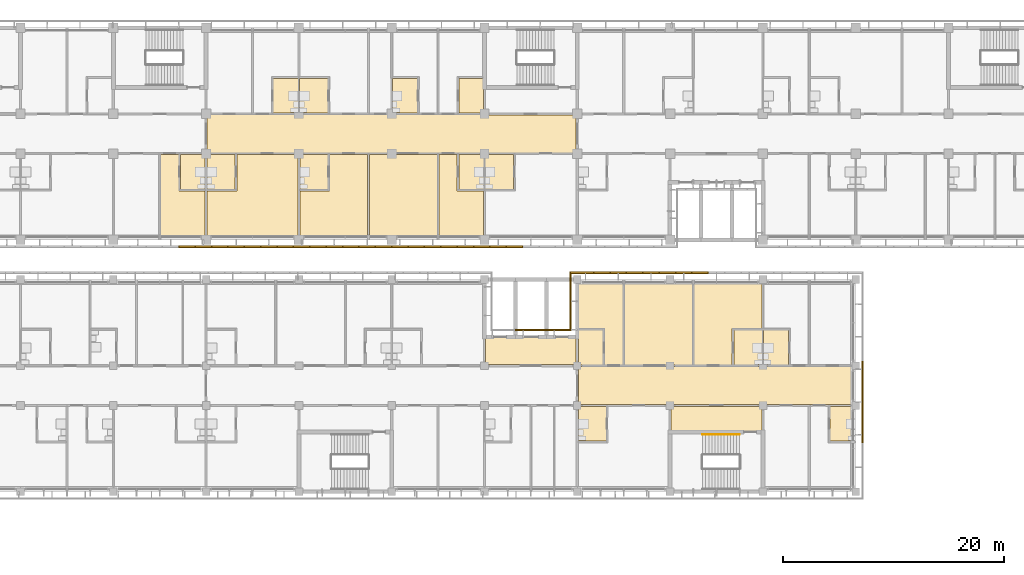
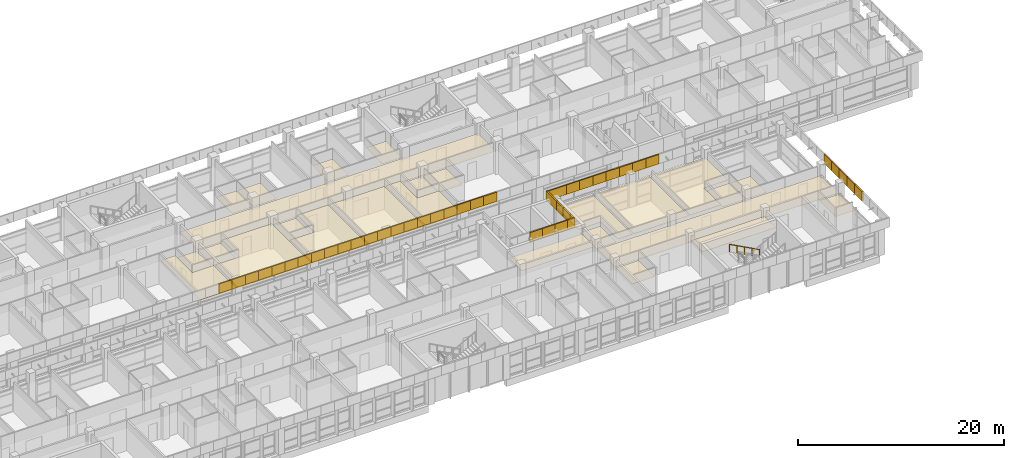
# One storey, part 68 of 74: 68 coverings, 1 railing.
"""IFC4 building model written with IfcOpenShell, lengths in metres."""

from ifc_helpers import new_model, si_unit, direction, frame, origin, origin_2d, place, context, subcontext, project, spatial, polyline, circle, outline, extrude, material, layer, layer_set, type_object, element, save


model = new_model("IFC4")

# Units and contexts
model_context = context("Model", 3, precision=1e-05, world=origin(), true_north=direction((0.0, 1.0)))
body_context = subcontext(model_context, "Body", "Model", "MODEL_VIEW")
ifc_project = project(units=[si_unit("LENGTHUNIT", "METRE"), si_unit("AREAUNIT", "SQUARE_METRE"), si_unit("VOLUMEUNIT", "CUBIC_METRE"), si_unit("PLANEANGLEUNIT", "RADIAN"), si_unit("MASSUNIT", "GRAM", prefix="KILO")], contexts=[model_context])

# Site, building, storey
site_placement = place(None, origin())
site = spatial("IfcSite", under=ifc_project, at=site_placement, CompositionType="ELEMENT")
building_placement = place(site_placement, origin())
building = spatial("IfcBuilding", under=site, at=building_placement, Name="Bougainvillea Quay General Hospital", CompositionType="ELEMENT")
storey_placement = place(building_placement, frame((0.0, 0.0, 21.0)))
storey = spatial("IfcBuildingStorey", under=building, at=storey_placement, Name="L04", CompositionType="ELEMENT", Elevation=21.0)

# Coverings
ifc_material_1 = material(Name="Powder-coated aluminium fascia, white", Category="aluminium")
ifc_layer_1 = layer(ifc_material_1, 0.14990234375)
ifc_layer_set_1 = layer_set([ifc_layer_1], Name="Powder-coated aluminium fascia, white")
covering_type_1 = type_object("IfcCoveringType", Name="Aluminium fascia band white 150x1100", PredefinedType="CLADDING", material=ifc_layer_set_1)
covering_1_placement = place(storey_placement, frame((106.7294921875, 139.85009765625, 3.35009765625), z_axis=(0.0, 0.0, 1.0), x_axis=(1.0, 0.0, 0.0)))
element("IfcCovering", 1, at=covering_1_placement, inside=storey, type_object=covering_type_1, Name="Fascia band white e0 162", PredefinedType="CLADDING", context=body_context, shape_type="SweptSolid", body=[
    extrude(outline(polyline([(0.0, 0.0), (1.482177734375, 0.0), (1.482177734375, -0.150146484375), (0.0, -0.150146484375), (0.0, 0.0)])), origin(), (0.0, 0.0, 1.0), 1.10009765625),
])
for number, where, z_axis, x_axis, name in (
    (2, (108.211669921875, 139.85009765625, 3.35009765625), (0.0, 0.0, 1.0), (1.0, 0.0, 0.0), "Fascia band white e0 163"),
    (3, (109.694091796875, 139.85009765625, 3.35009765625), (0.0, 0.0, 1.0), (1.0, 0.0, 0.0), "Fascia band white e0 164"),
    (4, (111.176513671875, 139.85009765625, 3.35009765625), (0.0, 0.0, 1.0), (1.0, 0.0, 0.0), "Fascia band white e0 165"),
):
    element("IfcCovering", number, at=place(storey_placement, frame(where, z_axis=z_axis, x_axis=x_axis)), inside=storey, type_object=covering_type_1, Name=name, PredefinedType="CLADDING", context=body_context, shape_type="SweptSolid", body=[
        extrude(outline(polyline([(0.0, 0.0), (1.482421875, 0.0), (1.482421875, -0.150146484375), (0.0, -0.150146484375), (0.0, 0.0)])), origin(), (0.0, 0.0, 1.0), 1.10009765625),
    ])
covering_2_placement = place(storey_placement, frame((112.658935546875, 139.85009765625, 3.35009765625), z_axis=(0.0, 0.0, 1.0), x_axis=(1.0, 0.0, 0.0)))
element("IfcCovering", 5, at=covering_2_placement, inside=storey, type_object=covering_type_1, Name="Fascia band white e0 166", PredefinedType="CLADDING", context=body_context, shape_type="SweptSolid", body=[
    extrude(outline(polyline([(0.0, 0.0), (1.482177734375, 0.0), (1.482177734375, -0.150146484375), (0.0, -0.150146484375), (0.0, 0.0)])), origin(), (0.0, 0.0, 1.0), 1.10009765625),
])
for number, where, z_axis, x_axis, name in (
    (6, (114.14111328125, 139.85009765625, 3.35009765625), (0.0, 0.0, 1.0), (1.0, 0.0, 0.0), "Fascia band white e0 167"),
    (7, (115.62353515625, 139.85009765625, 3.35009765625), (0.0, 0.0, 1.0), (1.0, 0.0, 0.0), "Fascia band white e0 168"),
):
    element("IfcCovering", number, at=place(storey_placement, frame(where, z_axis=z_axis, x_axis=x_axis)), inside=storey, type_object=covering_type_1, Name=name, PredefinedType="CLADDING", context=body_context, shape_type="SweptSolid", body=[
        extrude(outline(polyline([(0.0, 0.0), (1.482421875, 0.0), (1.482421875, -0.150146484375), (0.0, -0.150146484375), (0.0, 0.0)])), origin(), (0.0, 0.0, 1.0), 1.10009765625),
    ])
covering_3_placement = place(storey_placement, frame((117.10595703125, 139.85009765625, 3.35009765625), z_axis=(0.0, 0.0, 1.0), x_axis=(1.0, 0.0, 0.0)))
element("IfcCovering", 8, at=covering_3_placement, inside=storey, type_object=covering_type_1, Name="Fascia band white e0 169", PredefinedType="CLADDING", context=body_context, shape_type="SweptSolid", body=[
    extrude(outline(polyline([(0.0, 0.0), (1.482177734375, 0.0), (1.482177734375, -0.150146484375), (0.0, -0.150146484375), (0.0, 0.0)])), origin(), (0.0, 0.0, 1.0), 1.10009765625),
])
for number, where, z_axis, x_axis, name in (
    (9, (118.588134765625, 139.85009765625, 3.35009765625), (0.0, 0.0, 1.0), (1.0, 0.0, 0.0), "Fascia band white e0 170"),
    (10, (120.070556640625, 139.85009765625, 3.35009765625), (0.0, 0.0, 1.0), (1.0, 0.0, 0.0), "Fascia band white e0 171"),
    (11, (121.552978515625, 139.85009765625, 3.35009765625), (0.0, 0.0, 1.0), (1.0, 0.0, 0.0), "Fascia band white e0 172"),
):
    element("IfcCovering", number, at=place(storey_placement, frame(where, z_axis=z_axis, x_axis=x_axis)), inside=storey, type_object=covering_type_1, Name=name, PredefinedType="CLADDING", context=body_context, shape_type="SweptSolid", body=[
        extrude(outline(polyline([(0.0, 0.0), (1.482421875, 0.0), (1.482421875, -0.150146484375), (0.0, -0.150146484375), (0.0, 0.0)])), origin(), (0.0, 0.0, 1.0), 1.10009765625),
    ])
covering_4_placement = place(storey_placement, frame((123.035400390625, 139.85009765625, 3.35009765625), z_axis=(0.0, 0.0, 1.0), x_axis=(1.0, 0.0, 0.0)))
element("IfcCovering", 12, at=covering_4_placement, inside=storey, type_object=covering_type_1, Name="Fascia band white e0 173", PredefinedType="CLADDING", context=body_context, shape_type="SweptSolid", body=[
    extrude(outline(polyline([(0.0, 0.0), (1.482177734375, 0.0), (1.482177734375, -0.150146484375), (0.0, -0.150146484375), (0.0, 0.0)])), origin(), (0.0, 0.0, 1.0), 1.10009765625),
])
for number, where, z_axis, x_axis, name in (
    (13, (124.517578125, 139.85009765625, 3.35009765625), (0.0, 0.0, 1.0), (1.0, 0.0, 0.0), "Fascia band white e0 174"),
    (14, (126.0, 139.85009765625, 3.35009765625), (0.0, 0.0, 1.0), (1.0, 0.0, 0.0), "Fascia band white e0 175"),
):
    element("IfcCovering", number, at=place(storey_placement, frame(where, z_axis=z_axis, x_axis=x_axis)), inside=storey, type_object=covering_type_1, Name=name, PredefinedType="CLADDING", context=body_context, shape_type="SweptSolid", body=[
        extrude(outline(polyline([(0.0, 0.0), (1.482421875, 0.0), (1.482421875, -0.150146484375), (0.0, -0.150146484375), (0.0, 0.0)])), origin(), (0.0, 0.0, 1.0), 1.10009765625),
    ])
covering_5_placement = place(storey_placement, frame((127.482421875, 139.85009765625, 3.35009765625), z_axis=(0.0, 0.0, 1.0), x_axis=(1.0, 0.0, 0.0)))
element("IfcCovering", 15, at=covering_5_placement, inside=storey, type_object=covering_type_1, Name="Fascia band white e0 176", PredefinedType="CLADDING", context=body_context, shape_type="SweptSolid", body=[
    extrude(outline(polyline([(0.0, 0.0), (1.482177734375, 0.0), (1.482177734375, -0.150146484375), (0.0, -0.150146484375), (0.0, 0.0)])), origin(), (0.0, 0.0, 1.0), 1.10009765625),
])
for number, where, z_axis, x_axis, name in (
    (16, (128.964599609375, 139.85009765625, 3.35009765625), (0.0, 0.0, 1.0), (1.0, 0.0, 0.0), "Fascia band white e0 177"),
    (17, (130.447021484375, 139.85009765625, 3.35009765625), (0.0, 0.0, 1.0), (1.0, 0.0, 0.0), "Fascia band white e0 178"),
    (18, (131.929443359375, 139.85009765625, 3.35009765625), (0.0, 0.0, 1.0), (1.0, 0.0, 0.0), "Fascia band white e0 179"),
):
    element("IfcCovering", number, at=place(storey_placement, frame(where, z_axis=z_axis, x_axis=x_axis)), inside=storey, type_object=covering_type_1, Name=name, PredefinedType="CLADDING", context=body_context, shape_type="SweptSolid", body=[
        extrude(outline(polyline([(0.0, 0.0), (1.482421875, 0.0), (1.482421875, -0.150146484375), (0.0, -0.150146484375), (0.0, 0.0)])), origin(), (0.0, 0.0, 1.0), 1.10009765625),
    ])
covering_6_placement = place(storey_placement, frame((133.411865234375, 139.85009765625, 3.35009765625), z_axis=(0.0, 0.0, 1.0), x_axis=(1.0, 0.0, 0.0)))
element("IfcCovering", 19, at=covering_6_placement, inside=storey, type_object=covering_type_1, Name="Fascia band white e0 180", PredefinedType="CLADDING", context=body_context, shape_type="SweptSolid", body=[
    extrude(outline(polyline([(0.0, 0.0), (1.482177734375, 0.0), (1.482177734375, -0.150146484375), (0.0, -0.150146484375), (0.0, 0.0)])), origin(), (0.0, 0.0, 1.0), 1.10009765625),
])
for number, where, z_axis, x_axis, name in (
    (20, (134.89404296875, 139.85009765625, 3.35009765625), (0.0, 0.0, 1.0), (1.0, 0.0, 0.0), "Fascia band white e0 181"),
    (21, (136.37646484375, 139.85009765625, 3.35009765625), (0.0, 0.0, 1.0), (1.0, 0.0, 0.0), "Fascia band white e0 182"),
):
    element("IfcCovering", number, at=place(storey_placement, frame(where, z_axis=z_axis, x_axis=x_axis)), inside=storey, type_object=covering_type_1, Name=name, PredefinedType="CLADDING", context=body_context, shape_type="SweptSolid", body=[
        extrude(outline(polyline([(0.0, 0.0), (1.482421875, 0.0), (1.482421875, -0.150146484375), (0.0, -0.150146484375), (0.0, 0.0)])), origin(), (0.0, 0.0, 1.0), 1.10009765625),
    ])
covering_7_placement = place(storey_placement, frame((168.550048828125, 122.03076171875, 3.35009765625), z_axis=(0.0, 0.0, 1.0), x_axis=(0.0, 1.0, 0.0)))
element("IfcCovering", 22, at=covering_7_placement, inside=storey, type_object=covering_type_1, Name="Fascia band white e0 101", PredefinedType="CLADDING", context=body_context, shape_type="SweptSolid", body=[
    extrude(outline(polyline([(0.0, 0.0), (1.47705078125, 0.0), (1.47705078125, -0.14990234375), (0.0, -0.14990234375), (0.0, 0.0)])), origin(), (0.0, 0.0, 1.0), 1.10009765625),
])
for number, where, z_axis, x_axis, name in (
    (23, (168.550048828125, 123.5078125, 3.35009765625), (0.0, 0.0, 1.0), (0.0, 1.0, 0.0), "Fascia band white e0 102"),
    (24, (168.550048828125, 124.984619140625, 3.35009765625), (0.0, 0.0, 1.0), (0.0, 1.0, 0.0), "Fascia band white e0 103"),
):
    element("IfcCovering", number, at=place(storey_placement, frame(where, z_axis=z_axis, x_axis=x_axis)), inside=storey, type_object=covering_type_1, Name=name, PredefinedType="CLADDING", context=body_context, shape_type="SweptSolid", body=[
        extrude(outline(polyline([(0.0, 0.0), (1.476806640625, 0.0), (1.476806640625, -0.14990234375), (0.0, -0.14990234375), (0.0, 0.0)])), origin(), (0.0, 0.0, 1.0), 1.10009765625),
    ])
covering_8_placement = place(storey_placement, frame((168.550048828125, 126.46142578125, 3.35009765625), z_axis=(0.0, 0.0, 1.0), x_axis=(0.0, 1.0, 0.0)))
element("IfcCovering", 25, at=covering_8_placement, inside=storey, type_object=covering_type_1, Name="Fascia band white e0 104", PredefinedType="CLADDING", context=body_context, shape_type="SweptSolid", body=[
    extrude(outline(polyline([(0.0, 0.0), (1.47705078125, 0.0), (1.47705078125, -0.14990234375), (0.0, -0.14990234375), (0.0, 0.0)])), origin(), (0.0, 0.0, 1.0), 1.10009765625),
])
covering_9_placement = place(storey_placement, frame((168.550048828125, 127.9384765625, 3.35009765625), z_axis=(0.0, 0.0, 1.0), x_axis=(0.0, 1.0, 0.0)))
element("IfcCovering", 26, at=covering_9_placement, inside=storey, type_object=covering_type_1, Name="Fascia band white e0 105", PredefinedType="CLADDING", context=body_context, shape_type="SweptSolid", body=[
    extrude(outline(polyline([(0.0, 0.0), (1.476806640625, 0.0), (1.476806640625, -0.14990234375), (0.0, -0.14990234375), (0.0, 0.0)])), origin(), (0.0, 0.0, 1.0), 1.10009765625),
])
for number, where, z_axis, x_axis, name in (
    (27, (154.658935546875, 137.35009765625, 3.35009765625), (0.0, 0.0, 1.0), (-1.0, 0.0, 0.0), "Fascia band white e0 120"),
    (28, (153.176513671875, 137.35009765625, 3.35009765625), (0.0, 0.0, 1.0), (-1.0, 0.0, 0.0), "Fascia band white e0 121"),
    (29, (151.694091796875, 137.35009765625, 3.35009765625), (0.0, 0.0, 1.0), (-1.0, 0.0, 0.0), "Fascia band white e0 122"),
):
    element("IfcCovering", number, at=place(storey_placement, frame(where, z_axis=z_axis, x_axis=x_axis)), inside=storey, type_object=covering_type_1, Name=name, PredefinedType="CLADDING", context=body_context, shape_type="SweptSolid", body=[
        extrude(outline(polyline([(0.0, 0.0), (1.482421875, 0.0), (1.482421875, -0.14990234375), (0.0, -0.14990234375), (0.0, 0.0)])), origin(), (0.0, 0.0, 1.0), 1.10009765625),
    ])
covering_10_placement = place(storey_placement, frame((150.211669921875, 137.35009765625, 3.35009765625), z_axis=(0.0, 0.0, 1.0), x_axis=(-1.0, 0.0, 0.0)))
element("IfcCovering", 30, at=covering_10_placement, inside=storey, type_object=covering_type_1, Name="Fascia band white e0 123", PredefinedType="CLADDING", context=body_context, shape_type="SweptSolid", body=[
    extrude(outline(polyline([(0.0, 0.0), (1.482177734375, 0.0), (1.482177734375, -0.14990234375), (0.0, -0.14990234375), (0.0, 0.0)])), origin(), (0.0, 0.0, 1.0), 1.10009765625),
])
for number, where, z_axis, x_axis, name in (
    (31, (148.7294921875, 137.35009765625, 3.35009765625), (0.0, 0.0, 1.0), (-1.0, 0.0, 0.0), "Fascia band white e0 124"),
    (32, (147.2470703125, 137.35009765625, 3.35009765625), (0.0, 0.0, 1.0), (-1.0, 0.0, 0.0), "Fascia band white e0 125"),
):
    element("IfcCovering", number, at=place(storey_placement, frame(where, z_axis=z_axis, x_axis=x_axis)), inside=storey, type_object=covering_type_1, Name=name, PredefinedType="CLADDING", context=body_context, shape_type="SweptSolid", body=[
        extrude(outline(polyline([(0.0, 0.0), (1.482421875, 0.0), (1.482421875, -0.14990234375), (0.0, -0.14990234375), (0.0, 0.0)])), origin(), (0.0, 0.0, 1.0), 1.10009765625),
    ])
covering_11_placement = place(storey_placement, frame((145.7646484375, 137.35009765625, 3.35009765625), z_axis=(0.0, 0.0, 1.0), x_axis=(-1.0, 0.0, 0.0)))
element("IfcCovering", 33, at=covering_11_placement, inside=storey, type_object=covering_type_1, Name="Fascia band white e0 126", PredefinedType="CLADDING", context=body_context, shape_type="SweptSolid", body=[
    extrude(outline(polyline([(0.0, 0.0), (1.482177734375, 0.0), (1.482177734375, -0.14990234375), (0.0, -0.14990234375), (0.0, 0.0)])), origin(), (0.0, 0.0, 1.0), 1.10009765625),
])
covering_12_placement = place(storey_placement, frame((144.282470703125, 137.35009765625, 3.35009765625), z_axis=(0.0, 0.0, 1.0), x_axis=(-1.0, 0.0, 0.0)))
element("IfcCovering", 34, at=covering_12_placement, inside=storey, type_object=covering_type_1, Name="Fascia band white e0 127", PredefinedType="CLADDING", context=body_context, shape_type="SweptSolid", body=[
    extrude(outline(polyline([(0.0, 0.0), (2.032470703125, 0.0), (2.182373046875, -0.14990234375), (0.0, -0.14990234375), (0.0, 0.0)])), origin(), (0.0, 0.0, 1.0), 1.10009765625),
])
covering_13_placement = place(storey_placement, frame((142.25, 137.35009765625, 3.35009765625), z_axis=(0.0, 0.0, 1.0), x_axis=(0.0, -1.0, 0.0)))
element("IfcCovering", 35, at=covering_13_placement, inside=storey, type_object=covering_type_1, Name="Fascia band white e0 128", PredefinedType="CLADDING", context=body_context, shape_type="SweptSolid", body=[
    extrude(outline(polyline([(0.0, 0.0), (1.85009765625, 0.0), (1.85009765625, -0.14990234375), (-0.14990234375, -0.14990234375), (0.0, 0.0)])), origin(), (0.0, 0.0, 1.0), 1.10009765625),
])
for number, where, z_axis, x_axis, name in (
    (36, (142.25, 135.5, 3.35009765625), (0.0, 0.0, 1.0), (0.0, -1.0, 0.0), "Fascia band white e0 129"),
    (37, (142.25, 134.199951171875, 3.35009765625), (0.0, 0.0, 1.0), (0.0, -1.0, 0.0), "Fascia band white e0 130"),
):
    element("IfcCovering", number, at=place(storey_placement, frame(where, z_axis=z_axis, x_axis=x_axis)), inside=storey, type_object=covering_type_1, Name=name, PredefinedType="CLADDING", context=body_context, shape_type="SweptSolid", body=[
        extrude(outline(polyline([(0.0, 0.0), (1.300048828125, 0.0), (1.300048828125, -0.14990234375), (0.0, -0.14990234375), (0.0, 0.0)])), origin(), (0.0, 0.0, 1.0), 1.10009765625),
    ])
covering_14_placement = place(storey_placement, frame((142.25, 132.89990234375, 3.35009765625), z_axis=(0.0, 0.0, 1.0), x_axis=(0.0, -1.0, 0.0)))
element("IfcCovering", 38, at=covering_14_placement, inside=storey, type_object=covering_type_1, Name="Fascia band white e0 131", PredefinedType="CLADDING", context=body_context, shape_type="SweptSolid", body=[
    extrude(outline(polyline([(0.0, 0.0), (0.75, 0.0), (0.599853515625, -0.14990234375), (0.0, -0.14990234375), (0.0, 0.0)])), origin(), (0.0, 0.0, 1.0), 1.10009765625),
])
covering_15_placement = place(storey_placement, frame((142.25, 132.14990234375, 3.35009765625), z_axis=(0.0, 0.0, 1.0), x_axis=(-1.0, 0.0, 0.0)))
element("IfcCovering", 39, at=covering_15_placement, inside=storey, type_object=covering_type_1, Name="Fascia band white e0 132", PredefinedType="CLADDING", context=body_context, shape_type="SweptSolid", body=[
    extrude(outline(polyline([(0.0, 0.0), (0.85009765625, 0.0), (0.85009765625, -0.150146484375), (0.14990234375, -0.150146484375), (0.0, 0.0)])), origin(), (0.0, 0.0, 1.0), 1.10009765625),
])
for number, where, z_axis, x_axis, name in (
    (40, (141.39990234375, 132.14990234375, 3.35009765625), (0.0, 0.0, 1.0), (-1.0, 0.0, 0.0), "Fascia band white e0 133"),
    (41, (140.0, 132.14990234375, 3.35009765625), (0.0, 0.0, 1.0), (-1.0, 0.0, 0.0), "Fascia band white e0 134"),
):
    element("IfcCovering", number, at=place(storey_placement, frame(where, z_axis=z_axis, x_axis=x_axis)), inside=storey, type_object=covering_type_1, Name=name, PredefinedType="CLADDING", context=body_context, shape_type="SweptSolid", body=[
        extrude(outline(polyline([(0.0, 0.0), (1.39990234375, 0.0), (1.39990234375, -0.150146484375), (0.0, -0.150146484375), (0.0, 0.0)])), origin(), (0.0, 0.0, 1.0), 1.10009765625),
    ])
covering_16_placement = place(storey_placement, frame((138.60009765625, 132.14990234375, 3.35009765625), z_axis=(0.0, 0.0, 1.0), x_axis=(-1.0, 0.0, 0.0)))
element("IfcCovering", 42, at=covering_16_placement, inside=storey, type_object=covering_type_1, Name="Fascia band white e0 135", PredefinedType="CLADDING", context=body_context, shape_type="SweptSolid", body=[
    extrude(outline(polyline([(0.0, 0.0), (1.400146484375, 0.0), (1.400146484375, -0.150146484375), (0.0, -0.150146484375), (0.0, 0.0)])), origin(), (0.0, 0.0, 1.0), 1.10009765625),
])

# Railing
ifc_material_2 = material(Name="Stainless steel 304 handrail", Category="steel")
railing_type = type_object("IfcRailingType", Name="Stair handrail 900", PredefinedType="HANDRAIL", material=ifc_material_2)
railing_placement = place(storey_placement, frame((157.5, 122.77490234375, 0.14990234375)))
element("IfcRailing", 43, at=railing_placement, inside=storey, type_object=railing_type, Name="L04 ST-B4 stair handrail 1", PredefinedType="HANDRAIL", context=body_context, shape_type="SweptSolid", body=[
    extrude(circle(Radius=0.02392578125, at=origin_2d()), frame((0.0, 0.0, 0.8759765625), z_axis=(-0.881480922165, 0.0, 0.47221963519), x_axis=(0.0, -1.0, 0.0)), (0.0, 0.0, 1.0), 3.811767578125),
    extrude(circle(Radius=0.02099609375, at=origin_2d()), origin(), (0.0, 0.0, 1.0), 0.851806640625),
    extrude(circle(Radius=0.02099609375, at=origin_2d()), frame((-0.840087890625, 0.0, 0.449951171875)), (0.0, 0.0, 1.0), 0.851806640625),
    extrude(circle(Radius=0.02099609375, at=origin_2d()), frame((-1.68017578125, 0.0, 0.89990234375)), (0.0, 0.0, 1.0), 0.851806640625),
    extrude(circle(Radius=0.02099609375, at=origin_2d()), frame((-2.52001953125, 0.0, 1.35009765625)), (0.0, 0.0, 1.0), 0.851806640625),
    extrude(circle(Radius=0.02099609375, at=origin_2d()), frame((-3.360107421875, 0.0, 1.800048828125)), (0.0, 0.0, 1.0), 0.851806640625),
])

# Coverings
ifc_material_3 = material(Name="Mineral fibre ceiling tile")
ifc_layer_2 = layer(ifc_material_3, 0.030029296875)
ifc_layer_set_2 = layer_set([ifc_layer_2], Name="Mineral fibre ceiling tile")
covering_type_2 = type_object("IfcCoveringType", Name="Suspended ceiling mineral fibre tile", PredefinedType="CEILING", material=ifc_layer_set_2)
covering_17_placement = place(storey_placement, frame((0.0, 0.0, 2.699951171875)))
element("IfcCovering", 44, at=covering_17_placement, inside=storey, type_object=covering_type_2, Name="Ceiling Lift Lobby LB-B2 (Fire-fighting)", PredefinedType="CEILING", context=body_context, shape_type="SweptSolid", body=[
    extrude(outline(polyline([(134.5, 131.60009765625), (134.5, 129.10009765625), (142.699951171875, 129.10009765625), (142.699951171875, 131.60009765625), (134.5, 131.60009765625)])), origin(), (0.0, 0.0, 1.0), 0.030029296875),
])
covering_18_placement = place(storey_placement, frame((0.0, 0.0, 2.699951171875)))
element("IfcCovering", 45, at=covering_18_placement, inside=storey, type_object=covering_type_2, Name="Ceiling Smoke-proof Vestibule ST-B4", PredefinedType="CEILING", context=body_context, shape_type="SweptSolid", body=[
    extrude(outline(polyline([(151.300048828125, 123.10009765625), (159.5, 123.10009765625), (159.5, 125.300048828125), (151.300048828125, 125.300048828125), (151.300048828125, 123.10009765625)])), origin(), (0.0, 0.0, 1.0), 0.030029296875),
])
covering_19_placement = place(storey_placement, frame((0.0, 0.0, 2.699951171875)))
element("IfcCovering", 46, at=covering_19_placement, inside=storey, type_object=covering_type_2, Name="Ceiling Post-operative Patient Room 04A15", PredefinedType="CEILING", context=body_context, shape_type="SweptSolid", body=[
    extrude(outline(polyline([(109.10009765625, 140.39990234375), (109.10009765625, 144.824951171875), (106.72509765625, 144.824951171875), (106.72509765625, 148.125), (105.074951171875, 148.125), (105.074951171875, 140.39990234375), (109.10009765625, 140.39990234375)])), origin(), (0.0, 0.0, 1.0), 0.030029296875),
])
covering_20_placement = place(storey_placement, frame((0.0, 0.0, 2.39990234375)))
element("IfcCovering", 47, at=covering_20_placement, inside=storey, type_object=covering_type_2, Name="Ceiling En-suite 04A15", PredefinedType="CEILING", context=body_context, shape_type="SweptSolid", body=[
    extrude(outline(polyline([(106.875, 144.97509765625), (109.10009765625, 144.97509765625), (109.10009765625, 148.125), (106.875, 148.125), (106.875, 144.97509765625)])), origin(), (0.0, 0.0, 1.0), 0.030029296875),
])
covering_21_placement = place(storey_placement, frame((0.0, 0.0, 2.699951171875)))
element("IfcCovering", 48, at=covering_21_placement, inside=storey, type_object=covering_type_2, Name="Ceiling Surgical Ward Room 04A17", PredefinedType="CEILING", context=body_context, shape_type="SweptSolid", body=[
    extrude(outline(polyline([(117.52490234375, 140.39990234375), (117.52490234375, 148.125), (111.97509765625, 148.125), (111.97509765625, 144.824951171875), (109.300048828125, 144.824951171875), (109.300048828125, 140.39990234375), (117.52490234375, 140.39990234375)])), origin(), (0.0, 0.0, 1.0), 0.030029296875),
])
covering_22_placement = place(storey_placement, frame((0.0, 0.0, 2.39990234375)))
element("IfcCovering", 49, at=covering_22_placement, inside=storey, type_object=covering_type_2, Name="Ceiling En-suite 04A17", PredefinedType="CEILING", context=body_context, shape_type="SweptSolid", body=[
    extrude(outline(polyline([(109.300048828125, 144.97509765625), (111.824951171875, 144.97509765625), (111.824951171875, 148.125), (109.300048828125, 148.125), (109.300048828125, 144.97509765625)])), origin(), (0.0, 0.0, 1.0), 0.030029296875),
])
covering_23_placement = place(storey_placement, frame((0.0, 0.0, 2.699951171875)))
element("IfcCovering", 50, at=covering_23_placement, inside=storey, type_object=covering_type_2, Name="Ceiling Two-bed Surgical Room 04A18", PredefinedType="CEILING", context=body_context, shape_type="SweptSolid", body=[
    extrude(outline(polyline([(123.824951171875, 140.39990234375), (123.824951171875, 148.125), (120.375, 148.125), (120.375, 144.824951171875), (117.675048828125, 144.824951171875), (117.675048828125, 140.39990234375), (123.824951171875, 140.39990234375)])), origin(), (0.0, 0.0, 1.0), 0.030029296875),
])
covering_24_placement = place(storey_placement, frame((0.0, 0.0, 2.39990234375)))
element("IfcCovering", 51, at=covering_24_placement, inside=storey, type_object=covering_type_2, Name="Ceiling En-suite 04A18", PredefinedType="CEILING", context=body_context, shape_type="SweptSolid", body=[
    extrude(outline(polyline([(120.22509765625, 144.97509765625), (120.22509765625, 148.125), (117.675048828125, 148.125), (117.675048828125, 144.97509765625), (120.22509765625, 144.97509765625)])), origin(), (0.0, 0.0, 1.0), 0.030029296875),
])
covering_25_placement = place(storey_placement, frame((0.0, 0.0, 2.699951171875)))
element("IfcCovering", 52, at=covering_25_placement, inside=storey, type_object=covering_type_2, Name="Ceiling Nurses' Station 04A19", PredefinedType="CEILING", context=body_context, shape_type="SweptSolid", body=[
    extrude(outline(polyline([(130.125, 140.39990234375), (130.125, 148.125), (123.97509765625, 148.125), (123.97509765625, 140.39990234375), (130.125, 140.39990234375)])), origin(), (0.0, 0.0, 1.0), 0.030029296875),
])
covering_26_placement = place(storey_placement, frame((0.0, 0.0, 2.699951171875)))
element("IfcCovering", 53, at=covering_26_placement, inside=storey, type_object=covering_type_2, Name="Ceiling Post-operative Patient Room 04A20", PredefinedType="CEILING", context=body_context, shape_type="SweptSolid", body=[
    extrude(outline(polyline([(134.324951171875, 140.39990234375), (134.324951171875, 144.824951171875), (131.925048828125, 144.824951171875), (131.925048828125, 148.125), (130.27490234375, 148.125), (130.27490234375, 140.39990234375), (134.324951171875, 140.39990234375)])), origin(), (0.0, 0.0, 1.0), 0.030029296875),
])
covering_27_placement = place(storey_placement, frame((0.0, 0.0, 2.39990234375)))
element("IfcCovering", 54, at=covering_27_placement, inside=storey, type_object=covering_type_2, Name="Ceiling En-suite 04A20", PredefinedType="CEILING", context=body_context, shape_type="SweptSolid", body=[
    extrude(outline(polyline([(132.074951171875, 144.97509765625), (134.35009765625, 144.97509765625), (134.35009765625, 148.125), (132.074951171875, 148.125), (132.074951171875, 144.97509765625)])), origin(), (0.0, 0.0, 1.0), 0.030029296875),
])
covering_28_placement = place(storey_placement, frame((0.0, 0.0, 2.39990234375)))
element("IfcCovering", 55, at=covering_28_placement, inside=storey, type_object=covering_type_2, Name="Ceiling En-suite 04A21", PredefinedType="CEILING", context=body_context, shape_type="SweptSolid", body=[
    extrude(outline(polyline([(134.449951171875, 144.97509765625), (137.02490234375, 144.97509765625), (137.02490234375, 148.125), (134.449951171875, 148.125), (134.449951171875, 144.97509765625)])), origin(), (0.0, 0.0, 1.0), 0.030029296875),
])
covering_29_placement = place(storey_placement, frame((0.0, 0.0, 2.39990234375)))
element("IfcCovering", 56, at=covering_29_placement, inside=storey, type_object=covering_type_2, Name="Ceiling En-suite 04A23", PredefinedType="CEILING", context=body_context, shape_type="SweptSolid", body=[
    extrude(outline(polyline([(117.550048828125, 155.02490234375), (115.27490234375, 155.02490234375), (115.27490234375, 151.875), (117.550048828125, 151.875), (117.550048828125, 155.02490234375)])), origin(), (0.0, 0.0, 1.0), 0.030029296875),
])
covering_30_placement = place(storey_placement, frame((0.0, 0.0, 2.39990234375)))
element("IfcCovering", 57, at=covering_30_placement, inside=storey, type_object=covering_type_2, Name="Ceiling En-suite 04A24", PredefinedType="CEILING", context=body_context, shape_type="SweptSolid", body=[
    extrude(outline(polyline([(117.64990234375, 155.02490234375), (117.64990234375, 151.875), (120.22509765625, 151.875), (120.22509765625, 155.02490234375), (117.64990234375, 155.02490234375)])), origin(), (0.0, 0.0, 1.0), 0.030029296875),
])
covering_31_placement = place(storey_placement, frame((0.0, 0.0, 2.39990234375)))
element("IfcCovering", 58, at=covering_31_placement, inside=storey, type_object=covering_type_2, Name="Ceiling En-suite 04A26", PredefinedType="CEILING", context=body_context, shape_type="SweptSolid", body=[
    extrude(outline(polyline([(128.324951171875, 155.02490234375), (126.050048828125, 155.02490234375), (126.050048828125, 151.875), (128.324951171875, 151.875), (128.324951171875, 155.02490234375)])), origin(), (0.0, 0.0, 1.0), 0.030029296875),
])
covering_32_placement = place(storey_placement, frame((0.0, 0.0, 2.39990234375)))
element("IfcCovering", 59, at=covering_32_placement, inside=storey, type_object=covering_type_2, Name="Ceiling En-suite 04A27", PredefinedType="CEILING", context=body_context, shape_type="SweptSolid", body=[
    extrude(outline(polyline([(132.074951171875, 155.02490234375), (132.074951171875, 151.875), (134.300048828125, 151.875), (134.300048828125, 154.300048828125), (134.35009765625, 154.300048828125), (134.35009765625, 155.02490234375), (132.074951171875, 155.02490234375)])), origin(), (0.0, 0.0, 1.0), 0.030029296875),
])
covering_33_placement = place(storey_placement, frame((0.0, 0.0, 2.39990234375)))
element("IfcCovering", 60, at=covering_33_placement, inside=storey, type_object=covering_type_2, Name="Ceiling Ward Corridor A3", PredefinedType="CEILING", context=body_context, shape_type="SweptSolid", body=[
    extrude(outline(polyline([(109.300048828125, 148.27490234375), (142.699951171875, 148.27490234375), (142.699951171875, 151.699951171875), (134.300048828125, 151.699951171875), (134.300048828125, 151.72509765625), (109.300048828125, 151.72509765625), (109.300048828125, 148.27490234375)])), origin(), (0.0, 0.0, 1.0), 0.030029296875),
])
covering_34_placement = place(storey_placement, frame((0.0, 0.0, 2.39990234375)))
element("IfcCovering", 61, at=covering_34_placement, inside=storey, type_object=covering_type_2, Name="Ceiling En-suite 04B29", PredefinedType="CEILING", context=body_context, shape_type="SweptSolid", body=[
    extrude(outline(polyline([(142.89990234375, 122.175048828125), (145.425048828125, 122.175048828125), (145.425048828125, 125.324951171875), (142.89990234375, 125.324951171875), (142.89990234375, 122.175048828125)])), origin(), (0.0, 0.0, 1.0), 0.030029296875),
])
covering_35_placement = place(storey_placement, frame((0.0, 0.0, 2.699951171875)))
element("IfcCovering", 62, at=covering_35_placement, inside=storey, type_object=covering_type_2, Name="Ceiling Patient Room 04B30", PredefinedType="CEILING", context=body_context, shape_type="SweptSolid", body=[
    extrude(outline(polyline([(142.800048828125, 136.800048828125), (142.800048828125, 132.375), (145.27490234375, 132.375), (145.27490234375, 129.074951171875), (146.925048828125, 129.074951171875), (146.925048828125, 136.800048828125), (142.800048828125, 136.800048828125)])), origin(), (0.0, 0.0, 1.0), 0.030029296875),
])
covering_36_placement = place(storey_placement, frame((0.0, 0.0, 2.39990234375)))
element("IfcCovering", 63, at=covering_36_placement, inside=storey, type_object=covering_type_2, Name="Ceiling En-suite 04B30", PredefinedType="CEILING", context=body_context, shape_type="SweptSolid", body=[
    extrude(outline(polyline([(142.800048828125, 131.60009765625), (142.89990234375, 131.60009765625), (142.89990234375, 129.074951171875), (145.125, 129.074951171875), (145.125, 132.22509765625), (142.800048828125, 132.22509765625), (142.800048828125, 131.60009765625)])), origin(), (0.0, 0.0, 1.0), 0.030029296875),
])
covering_37_placement = place(storey_placement, frame((0.0, 0.0, 2.699951171875)))
element("IfcCovering", 64, at=covering_37_placement, inside=storey, type_object=covering_type_2, Name="Ceiling Nurses' Station 04B31", PredefinedType="CEILING", context=body_context, shape_type="SweptSolid", body=[
    extrude(outline(polyline([(147.074951171875, 136.800048828125), (147.074951171875, 129.074951171875), (153.22509765625, 129.074951171875), (153.22509765625, 136.800048828125), (147.074951171875, 136.800048828125)])), origin(), (0.0, 0.0, 1.0), 0.030029296875),
])
covering_38_placement = place(storey_placement, frame((0.0, 0.0, 2.699951171875)))
element("IfcCovering", 65, at=covering_38_placement, inside=storey, type_object=covering_type_2, Name="Ceiling Two-bed Patient Room 04B32", PredefinedType="CEILING", context=body_context, shape_type="SweptSolid", body=[
    extrude(outline(polyline([(153.375, 136.800048828125), (153.375, 129.074951171875), (156.824951171875, 129.074951171875), (156.824951171875, 132.375), (159.52490234375, 132.375), (159.52490234375, 136.800048828125), (153.375, 136.800048828125)])), origin(), (0.0, 0.0, 1.0), 0.030029296875),
])
covering_39_placement = place(storey_placement, frame((0.0, 0.0, 2.39990234375)))
element("IfcCovering", 66, at=covering_39_placement, inside=storey, type_object=covering_type_2, Name="Ceiling En-suite 04B32", PredefinedType="CEILING", context=body_context, shape_type="SweptSolid", body=[
    extrude(outline(polyline([(159.550048828125, 129.074951171875), (159.550048828125, 132.22509765625), (156.97509765625, 132.22509765625), (156.97509765625, 129.074951171875), (159.550048828125, 129.074951171875)])), origin(), (0.0, 0.0, 1.0), 0.030029296875),
])
covering_40_placement = place(storey_placement, frame((0.0, 0.0, 2.39990234375)))
element("IfcCovering", 67, at=covering_40_placement, inside=storey, type_object=covering_type_2, Name="Ceiling En-suite 04B33", PredefinedType="CEILING", context=body_context, shape_type="SweptSolid", body=[
    extrude(outline(polyline([(161.925048828125, 132.22509765625), (159.64990234375, 132.22509765625), (159.64990234375, 129.074951171875), (161.925048828125, 129.074951171875), (161.925048828125, 132.22509765625)])), origin(), (0.0, 0.0, 1.0), 0.030029296875),
])
covering_41_placement = place(storey_placement, frame((0.0, 0.0, 2.39990234375)))
element("IfcCovering", 68, at=covering_41_placement, inside=storey, type_object=covering_type_2, Name="Ceiling En-suite 04B35", PredefinedType="CEILING", context=body_context, shape_type="SweptSolid", body=[
    extrude(outline(polyline([(168.0, 125.324951171875), (165.675048828125, 125.324951171875), (165.675048828125, 122.175048828125), (168.0, 122.175048828125), (168.0, 125.324951171875)])), origin(), (0.0, 0.0, 1.0), 0.030029296875),
])
covering_42_placement = place(storey_placement, frame((0.0, 0.0, 2.39990234375)))
element("IfcCovering", 69, at=covering_42_placement, inside=storey, type_object=covering_type_2, Name="Ceiling Ward Corridor B4", PredefinedType="CEILING", context=body_context, shape_type="SweptSolid", body=[
    extrude(outline(polyline([(168.0, 128.925048828125), (142.89990234375, 128.925048828125), (142.89990234375, 125.47509765625), (151.10009765625, 125.47509765625), (151.10009765625, 125.5), (163.89990234375, 125.5), (163.89990234375, 125.47509765625), (168.0, 125.47509765625), (168.0, 128.925048828125)])), origin(), (0.0, 0.0, 1.0), 0.030029296875),
])

save(model, "model.ifc")
